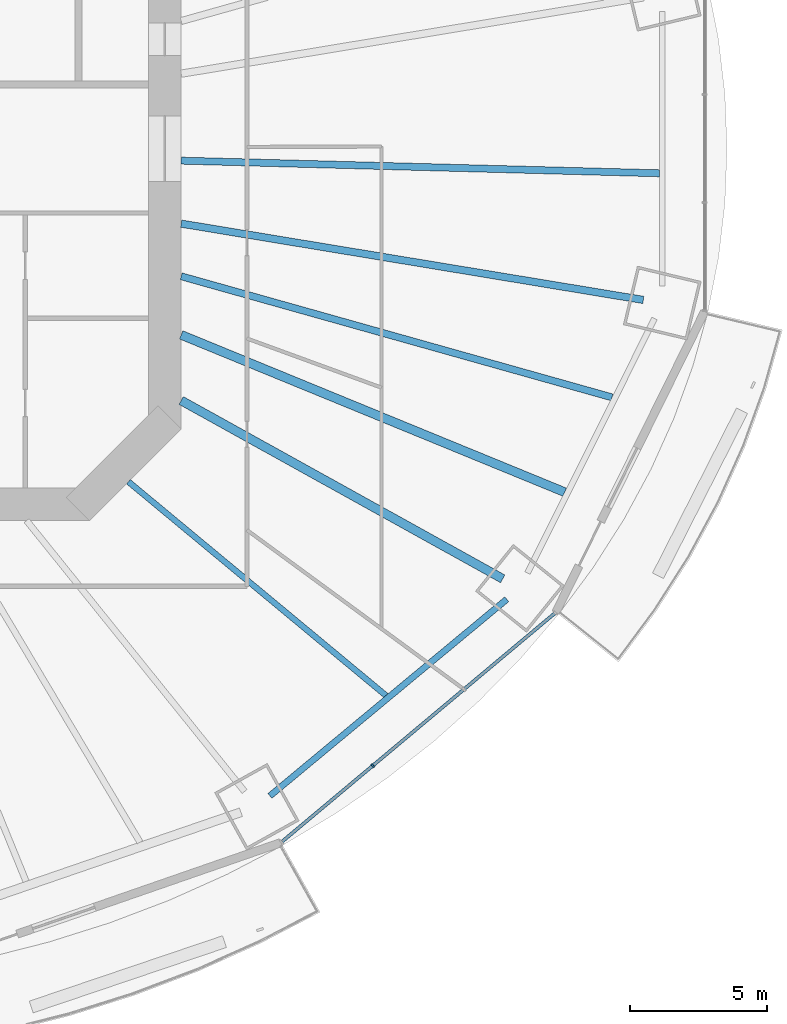
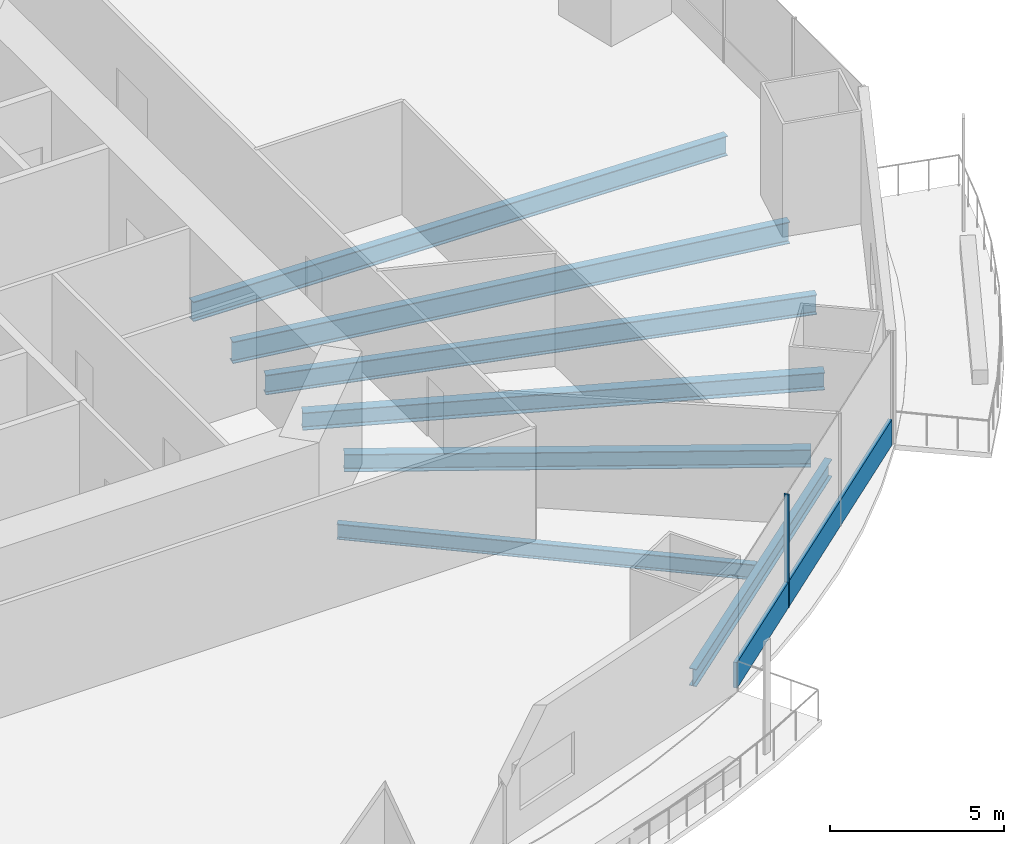
# One storey, part 5 of 23: 7 beams, 2 members, 1 element without a shape of its own.
"""IFC4 building model written with IfcOpenShell, lengths in metres."""

import ifcopenshell
import ifcopenshell.guid

model = None  # the IFC model being written
_history = None  # IfcOwnerHistory: only IFC2X3 demands one
_inside = {}  # id of a spatial element -> (the spatial element, [elements in it])
_under = {}  # id of a project, library or spatial element -> (it, [spatial elements below it])
_declared = {}  # id of a project -> (the project, [libraries it declares])
_typed = {}  # id of a type object -> (the type object, [elements of that type])
_made_of = {}  # id of a material, layer set ... -> (it, [elements and type objects made of it])


def new_model(schema):
    """Start an empty IFC model of exactly this schema.

    Asked for "IFC4X3", IfcOpenShell would pick the latest addendum, in which some entities
    have other attributes; the version numbers below select the first issue.
    IFC2X3 requires an IfcOwnerHistory on every rooted entity: one is made here for all.
    """
    global model, _history
    if schema == "IFC4X3":
        model = ifcopenshell.file(schema_version=(4, 3, 0, 0))
    else:
        model = ifcopenshell.file(schema=schema)
    _inside.clear()
    _under.clear()
    _declared.clear()
    _typed.clear()
    _made_of.clear()
    _history = None
    if model.schema == "IFC2X3":
        org = make("IfcOrganization", Name="unknown")
        user = make(
            "IfcPersonAndOrganization",
            ThePerson=make("IfcPerson", FamilyName="unknown"),
            TheOrganization=org,
        )
        app = make(
            "IfcApplication",
            ApplicationDeveloper=org,
            Version="unknown",
            ApplicationFullName="unknown",
            ApplicationIdentifier="unknown",
        )
        _history = make(
            "IfcOwnerHistory",
            OwningUser=user,
            OwningApplication=app,
            ChangeAction="ADDED",
            CreationDate=0,
        )
    return model


def make(cls, **values):
    """One entity of the class cls with the attributes given. An attribute that is None is left unset."""
    return model.create_entity(
        cls, **{name: value for name, value in values.items() if value is not None}
    )


def rooted(cls, **values):
    """An entity with a GlobalId (a new one), such as an element, a storey or a relation."""
    return make(cls, GlobalId=ifcopenshell.guid.new(), OwnerHistory=_history, **values)


def si_unit(unit_type, name, prefix=None):
    """IfcSIUnit, for example si_unit("LENGTHUNIT", "METRE", prefix="MILLI")."""
    return make("IfcSIUnit", UnitType=unit_type, Prefix=prefix, Name=name)


def assignment(units):
    """IfcUnitAssignment: the units of a project."""
    return None if units is None else make("IfcUnitAssignment", Units=units)


def point(xyz):
    """IfcCartesianPoint."""
    return None if xyz is None else make("IfcCartesianPoint", Coordinates=xyz)


def direction(xyz):
    """IfcDirection."""
    return None if xyz is None else make("IfcDirection", DirectionRatios=xyz)


def frame(location, z_axis=None, x_axis=None):
    """IfcAxis2Placement3D, a coordinate frame: its origin and axes. An axis left out is left unset."""
    return make(
        "IfcAxis2Placement3D",
        Location=point(location),
        Axis=direction(z_axis),
        RefDirection=direction(x_axis),
    )


def frame_2d(location, x_axis=None):
    """IfcAxis2Placement2D, a coordinate frame in the plane: its origin and x axis."""
    return make(
        "IfcAxis2Placement2D", Location=point(location), RefDirection=direction(x_axis)
    )


def origin():
    """The frame at (0, 0, 0) with its axes left unset."""
    return frame((0.0, 0.0, 0.0))


def origin_2d():
    """The frame at (0, 0) in the plane with its x axis left unset."""
    return frame_2d((0.0, 0.0))


def place(relative_to, where):
    """IfcLocalPlacement: puts the frame where relative to a parent placement (None: the world)."""
    return make(
        "IfcLocalPlacement", PlacementRelTo=relative_to, RelativePlacement=where
    )


def context(
    kind, dimensions, precision=None, world=None, true_north=None, identifier=None
):
    """IfcGeometricRepresentationContext, for example the 3D "Model" context."""
    return make(
        "IfcGeometricRepresentationContext",
        ContextIdentifier=identifier,
        ContextType=kind,
        CoordinateSpaceDimension=dimensions,
        Precision=precision,
        WorldCoordinateSystem=world,
        TrueNorth=true_north,
    )


def subcontext(parent, identifier, kind, view, scale=None):
    """IfcGeometricRepresentationSubContext, for example "Body" below "Model"."""
    return make(
        "IfcGeometricRepresentationSubContext",
        ContextIdentifier=identifier,
        ContextType=kind,
        ParentContext=parent,
        TargetScale=scale,
        TargetView=view,
    )


def project(units=None, contexts=None):
    """IfcProject with its units and contexts."""
    return rooted(
        "IfcProject",
        Name="project",
        RepresentationContexts=contexts,
        UnitsInContext=assignment(units),
    )


def spatial(cls, under=None, at=None, **own):
    """A site, building, storey or space (cls), placed at a placement, below another one or the project."""
    s = rooted(cls, ObjectPlacement=at, **own)
    if under is not None:
        _under.setdefault(under.id(), (under, []))[1].append(s)
    return s


def profile(cls, at=None, kind="AREA", **sizes):
    """A parametric profile (cls). Its sizes go by their IFC names, for example OverallWidth=200.0."""
    return make(cls, ProfileType=kind, Position=at, **sizes)


def rectangle(**sizes):
    """IfcRectangleProfileDef."""
    return profile("IfcRectangleProfileDef", **sizes)


def i_section(**sizes):
    """IfcIShapeProfileDef."""
    return profile("IfcIShapeProfileDef", **sizes)


def extrude(swept, where, along, depth):
    """IfcExtrudedAreaSolid: the profile swept, set in the frame where, extruded along a direction by depth."""
    return make(
        "IfcExtrudedAreaSolid",
        SweptArea=swept,
        Position=where,
        ExtrudedDirection=direction(along),
        Depth=depth,
    )


def shape(context_of_items, identifier, shape_type, items):
    """IfcShapeRepresentation: the items that make up one representation, for example the "Body"."""
    return make(
        "IfcShapeRepresentation",
        ContextOfItems=context_of_items,
        RepresentationIdentifier=identifier,
        RepresentationType=shape_type,
        Items=items,
    )


def material(Name=None, Category=None):
    """IfcMaterial."""
    return make("IfcMaterial", Name=Name, Category=Category)


def material_profile(
    of_material, cross_section, Name=None, Category=None, Priority=None
):
    """IfcMaterialProfile: a cross section and its material."""
    return make(
        "IfcMaterialProfile",
        Name=Name,
        Material=of_material,
        Profile=cross_section,
        Priority=Priority,
        Category=Category,
    )


def profile_set(profiles, Name=None, composite=None):
    """IfcMaterialProfileSet."""
    return make(
        "IfcMaterialProfileSet",
        Name=Name,
        MaterialProfiles=profiles,
        CompositeProfile=composite,
    )


def made_of(thing, what):
    """Note that an element or type object is made of a material, layer set ...; save() writes the relation."""
    if what is not None:
        _made_of.setdefault(what.id(), (what, []))[1].append(thing)
    return thing


def type_object(cls, material=None, **own):
    """A type object (cls), such as IfcWallType, which elements share."""
    return made_of(rooted(cls, **own), material)


def element(
    cls,
    number,
    at=None,
    inside=None,
    cuts=None,
    type_object=None,
    material=None,
    context=None,
    identifier="Body",
    shape_type=None,
    held_by="IfcProductDefinitionShape",
    body=None,
    shapes=None,
    **own,
):
    """One element of the class cls, such as IfcWall. Its Tag is "e" and its number.

    at: its placement. inside: the storey or other place that contains it. cuts: it is an
    opening in that element (IfcRelVoidsElement). A single representation is given by context,
    identifier, shape_type and body (its items); several are given by shapes. held_by: the class
    of the entity that holds the representations. save() writes the other relations.
    """
    e = rooted(cls, Tag="e%d" % number, ObjectPlacement=at, **own)
    if body is not None:
        shapes = [shape(context, identifier, shape_type, body)]
    if shapes is not None:
        e.Representation = make(held_by, Representations=shapes)
    if inside is not None:
        _inside.setdefault(inside.id(), (inside, []))[1].append(e)
    if cuts is not None:
        rooted(
            "IfcRelVoidsElement", RelatingBuildingElement=cuts, RelatedOpeningElement=e
        )
    if type_object is not None:
        _typed.setdefault(type_object.id(), (type_object, []))[1].append(e)
    return made_of(e, material)


def aggregate(whole, parts):
    """IfcRelAggregates: a whole, such as a stair, and the parts it consists of."""
    return rooted("IfcRelAggregates", RelatingObject=whole, RelatedObjects=parts)


def save(model, path):
    """Write the relations noted so far, then the file.

    IfcRelAggregates (storeys below a building ...), IfcRelContainedInSpatialStructure (elements
    in a storey), IfcRelDefinesByType, IfcRelAssociatesMaterial and IfcRelDeclares: one each for
    every whole, place, type object, material and project.
    """
    for whole, parts in _under.values():
        aggregate(whole, parts)
    for where, things in _inside.values():
        rooted(
            "IfcRelContainedInSpatialStructure",
            RelatedElements=things,
            RelatingStructure=where,
        )
    for kind, things in _typed.values():
        rooted("IfcRelDefinesByType", RelatedObjects=things, RelatingType=kind)
    for what, things in _made_of.values():
        rooted("IfcRelAssociatesMaterial", RelatedObjects=things, RelatingMaterial=what)
    for by, libraries in _declared.values():
        rooted("IfcRelDeclares", RelatingContext=by, RelatedDefinitions=libraries)
    model.write(path)


model = new_model("IFC4")

# Units and contexts
model_context = context("Model", 3, precision=1e-05, world=origin(), true_north=direction((0.0, 1.0)))
body_context = subcontext(model_context, "Body", "Model", "MODEL_VIEW")
ifc_project = project(units=[si_unit("LENGTHUNIT", "METRE"), si_unit("AREAUNIT", "SQUARE_METRE"), si_unit("VOLUMEUNIT", "CUBIC_METRE"), si_unit("PLANEANGLEUNIT", "RADIAN"), si_unit("MASSUNIT", "GRAM", prefix="KILO")], contexts=[model_context])

# Site, building, storey
site_placement = place(None, origin())
site = spatial("IfcSite", under=ifc_project, at=site_placement, CompositionType="ELEMENT")
building_placement = place(site_placement, origin())
building = spatial("IfcBuilding", under=site, at=building_placement, Name="Marenthal Gate Tower", CompositionType="ELEMENT")
storey_placement = place(building_placement, frame((0.0, 0.0, 49.60009765625)))
storey = spatial("IfcBuildingStorey", under=building, at=storey_placement, Name="L08", CompositionType="ELEMENT", Elevation=49.60009765625)

# Curtain wall, members
ifc_material_1 = material(Name="Aluminium and glass", Category="aluminium")
curtain_wall_type = type_object("IfcCurtainWallType", Name="Curtain wall typical low", PredefinedType="NOTDEFINED", material=ifc_material_1)
curtain_wall_placement = place(storey_placement, origin())
curtain_wall = element("IfcCurtainWall", 1, at=curtain_wall_placement, inside=storey, type_object=curtain_wall_type, Name="Curtain wall L08 bay 14", PredefinedType="NOTDEFINED")
ifc_material_2 = material(Name="Aluminium", Category="aluminium")
ifc_material_profile_1 = material_profile(ifc_material_2, rectangle(XDim=0.159912109375, YDim=0.06005859375, at=origin_2d()), Name="60x160 aluminium mullion")
ifc_profile_set_1 = profile_set([ifc_material_profile_1], Name="Aluminium")
member_type_1 = type_object("IfcMemberType", Name="Mullion 60x160 typical low", PredefinedType="MULLION", material=ifc_profile_set_1)
member_1_placement = place(storey_placement, frame((23.6025390625, -22.5595703125, 0.0), z_axis=(0.0, 0.0, 1.0), x_axis=(-0.642047277641, 0.766665046336, 0.0)))
member_1 = element("IfcMember", 2, at=member_1_placement, type_object=member_type_1, Name="Mullion L08 bay 14.2", PredefinedType="MULLION", context=body_context, shape_type="SweptSolid", body=[
    extrude(rectangle(XDim=0.159912109375, YDim=0.06005859375, at=origin_2d()), origin(), (0.0, 0.0, 1.0), 3.969970703125),
])
ifc_material_3 = material(Name="Aluminium", Category="aluminium")
ifc_material_profile_2 = material_profile(ifc_material_3, rectangle(XDim=0.1201171875, YDim=0.89990234375, at=origin_2d()), Name="120x900 aluminium transom")
ifc_profile_set_2 = profile_set([ifc_material_profile_2], Name="Aluminium")
member_type_2 = type_object("IfcMemberType", Name="Transom 120x900 typical low", PredefinedType="USERDEFINED", material=ifc_profile_set_2)
member_2_placement = place(storey_placement, frame((20.289794921875, -25.333740234375, 0.449951171875), z_axis=(0.766672707648, 0.6420381292, 0.0), x_axis=(-0.6420381292, 0.766672707648, 0.0)))
member_2 = element("IfcMember", 3, at=member_2_placement, type_object=member_type_2, Name="Transom L08 bay 14", ObjectType="TRANSOM", PredefinedType="USERDEFINED", context=body_context, shape_type="SweptSolid", body=[
    extrude(rectangle(XDim=0.1201171875, YDim=0.89990234375, at=origin_2d()), origin(), (0.0, 0.0, 1.0), 12.9931640625),
])
aggregate(curtain_wall, [member_1, member_2])

# Beams
ifc_material_4 = material(Name="Steel S355", Category="steel")
ifc_material_profile_3 = material_profile(ifc_material_4, i_section(OverallWidth=0.2119140625, OverallDepth=0.5439453125, WebThickness=0.01318359375, FlangeThickness=0.021240234375, FilletRadius=0.0126953125, at=origin_2d()), Name="W530X123")
ifc_profile_set_3 = profile_set([ifc_material_profile_3], Name="Steel S355")
beam_type_1 = type_object("IfcBeamType", Name="W530X123 beam", PredefinedType="BEAM", material=ifc_profile_set_3)
beam_1_placement = place(storey_placement, frame((24.085205078125, -19.99267578125, -0.4521484375), z_axis=(-0.769446518411, 0.638711245639, 0.0), x_axis=(-0.638711245639, -0.769446518411, 0.0)))
element("IfcBeam", 4, at=beam_1_placement, inside=storey, type_object=beam_type_1, Name="BM-L08-37", PredefinedType="BEAM", context=body_context, shape_type="SweptSolid", body=[
    extrude(i_section(OverallWidth=0.2119140625, OverallDepth=0.5439453125, WebThickness=0.01318359375, FlangeThickness=0.021240234375, FilletRadius=0.0126953125, at=origin_2d()), origin(), (0.0, 0.0, 1.0), 12.235595703125),
])
ifc_material_5 = material(Name="Steel S355", Category="steel")
ifc_material_profile_4 = material_profile(ifc_material_5, i_section(OverallWidth=0.22900390625, OverallDepth=0.612060546875, WebThickness=0.011962890625, FlangeThickness=0.01953125, FilletRadius=0.0126953125, at=origin_2d()), Name="W610X125")
ifc_profile_set_4 = profile_set([ifc_material_profile_4], Name="Steel S355")
beam_type_2 = type_object("IfcBeamType", Name="W610X125 beam", PredefinedType="BEAM", material=ifc_profile_set_4)
beam_2_placement = place(storey_placement, frame((19.8427734375, -23.6630859375, -0.486083984375), z_axis=(0.76943582663, 0.638724125658, 0.0), x_axis=(-0.638724125658, 0.76943582663, 0.0)))
element("IfcBeam", 5, at=beam_2_placement, inside=storey, type_object=beam_type_2, Name="BM-L08-54", PredefinedType="BEAM", context=body_context, shape_type="SweptSolid", body=[
    extrude(i_section(OverallWidth=0.22900390625, OverallDepth=0.612060546875, WebThickness=0.011962890625, FlangeThickness=0.01953125, FilletRadius=0.0126953125, at=origin_2d()), origin(), (0.0, 0.0, 1.0), 11.257080078125),
])
ifc_material_6 = material(Name="Steel S355", Category="steel")
ifc_material_profile_5 = material_profile(ifc_material_6, i_section(OverallWidth=0.324951171875, OverallDepth=0.612060546875, WebThickness=0.0126953125, FlangeThickness=0.01904296875, FilletRadius=0.0126953125, at=origin_2d()), Name="W610X155")
ifc_profile_set_5 = profile_set([ifc_material_profile_5], Name="Steel S355")
beam_type_3 = type_object("IfcBeamType", Name="W610X155 beam", PredefinedType="BEAM", material=ifc_profile_set_5)
beam_3_placement = place(storey_placement, frame((28.355712890625, -15.727294921875, -0.486083984375), z_axis=(-0.874492882968, 0.485038346565, 0.0), x_axis=(-0.485038346565, -0.874492882968, 0.0)))
element("IfcBeam", 6, at=beam_3_placement, inside=storey, type_object=beam_type_3, Name="BM-L08-15", PredefinedType="BEAM", context=body_context, shape_type="SweptSolid", body=[
    extrude(i_section(OverallWidth=0.324951171875, OverallDepth=0.612060546875, WebThickness=0.0126953125, FlangeThickness=0.01904296875, FilletRadius=0.0126953125, at=origin_2d()), origin(), (0.0, 0.0, 1.0), 13.44287109375),
])
beam_4_placement = place(storey_placement, frame((30.6201171875, -12.55810546875, -0.486083984375), z_axis=(-0.925210391668, 0.379454517894, 0.0), x_axis=(-0.379454517894, -0.925210391668, 0.0)))
element("IfcBeam", 7, at=beam_4_placement, inside=storey, type_object=beam_type_3, Name="BM-L08-38", PredefinedType="BEAM", context=body_context, shape_type="SweptSolid", body=[
    extrude(i_section(OverallWidth=0.324951171875, OverallDepth=0.612060546875, WebThickness=0.0126953125, FlangeThickness=0.01904296875, FilletRadius=0.0126953125, at=origin_2d()), origin(), (0.0, 0.0, 1.0), 15.1533203125),
])
ifc_material_7 = material(Name="Steel S355", Category="steel")
ifc_material_profile_6 = material_profile(ifc_material_7, i_section(OverallWidth=0.257080078125, OverallDepth=0.693115234375, WebThickness=0.014404296875, FlangeThickness=0.023681640625, FilletRadius=0.015380859375, at=origin_2d()), Name="W690X170")
ifc_profile_set_6 = profile_set([ifc_material_profile_6], Name="Steel S355")
beam_type_4 = type_object("IfcBeamType", Name="W690X170 beam", PredefinedType="BEAM", material=ifc_profile_set_6)
beam_5_placement = place(storey_placement, frame((32.349365234375, -9.092529296875, -0.526611328125), z_axis=(-0.962694320478, 0.27059128833, 0.0), x_axis=(-0.27059128833, -0.962694320478, 0.0)))
element("IfcBeam", 8, at=beam_5_placement, inside=storey, type_object=beam_type_4, Name="BM-L08-39", PredefinedType="BEAM", context=body_context, shape_type="SweptSolid", body=[
    extrude(i_section(OverallWidth=0.257080078125, OverallDepth=0.693115234375, WebThickness=0.014404296875, FlangeThickness=0.023681640625, FilletRadius=0.015380859375, at=origin_2d()), origin(), (0.0, 0.0, 1.0), 16.359619140625),
])
beam_6_placement = place(storey_placement, frame((34.082275390625, -0.900390625, -0.526611328125), z_axis=(-0.999651121674, 0.026412779787, 0.0), x_axis=(-0.026412779787, -0.999651121674, 0.0)))
element("IfcBeam", 9, at=beam_6_placement, inside=storey, type_object=beam_type_4, Name="BM-L08-40", PredefinedType="BEAM", context=body_context, shape_type="SweptSolid", body=[
    extrude(i_section(OverallWidth=0.257080078125, OverallDepth=0.693115234375, WebThickness=0.014404296875, FlangeThickness=0.023681640625, FilletRadius=0.015380859375, at=origin_2d()), origin(), (0.0, 0.0, 1.0), 17.48828125),
])
ifc_material_8 = material(Name="Steel S355", Category="steel")
ifc_material_profile_7 = material_profile(ifc_material_8, i_section(OverallWidth=0.26708984375, OverallDepth=0.761962890625, WebThickness=0.014404296875, FlangeThickness=0.021484375, FilletRadius=0.0166015625, at=origin_2d()), Name="W760X173")
ifc_profile_set_7 = profile_set([ifc_material_profile_7], Name="Steel S355")
beam_type_5 = type_object("IfcBeamType", Name="W760X173 beam", PredefinedType="BEAM", material=ifc_profile_set_7)
beam_7_placement = place(storey_placement, frame((33.494384765625, -5.530517578125, -0.56103515625), z_axis=(-0.986640584699, 0.162912113192, 0.0), x_axis=(-0.162912113192, -0.986640584699, 0.0)))
element("IfcBeam", 10, at=beam_7_placement, inside=storey, type_object=beam_type_5, Name="BM-L08-16", PredefinedType="BEAM", context=body_context, shape_type="SweptSolid", body=[
    extrude(i_section(OverallWidth=0.26708984375, OverallDepth=0.761962890625, WebThickness=0.014404296875, FlangeThickness=0.021484375, FilletRadius=0.0166015625, at=origin_2d()), origin(), (0.0, 0.0, 1.0), 17.123046875),
])

save(model, "model.ifc")
